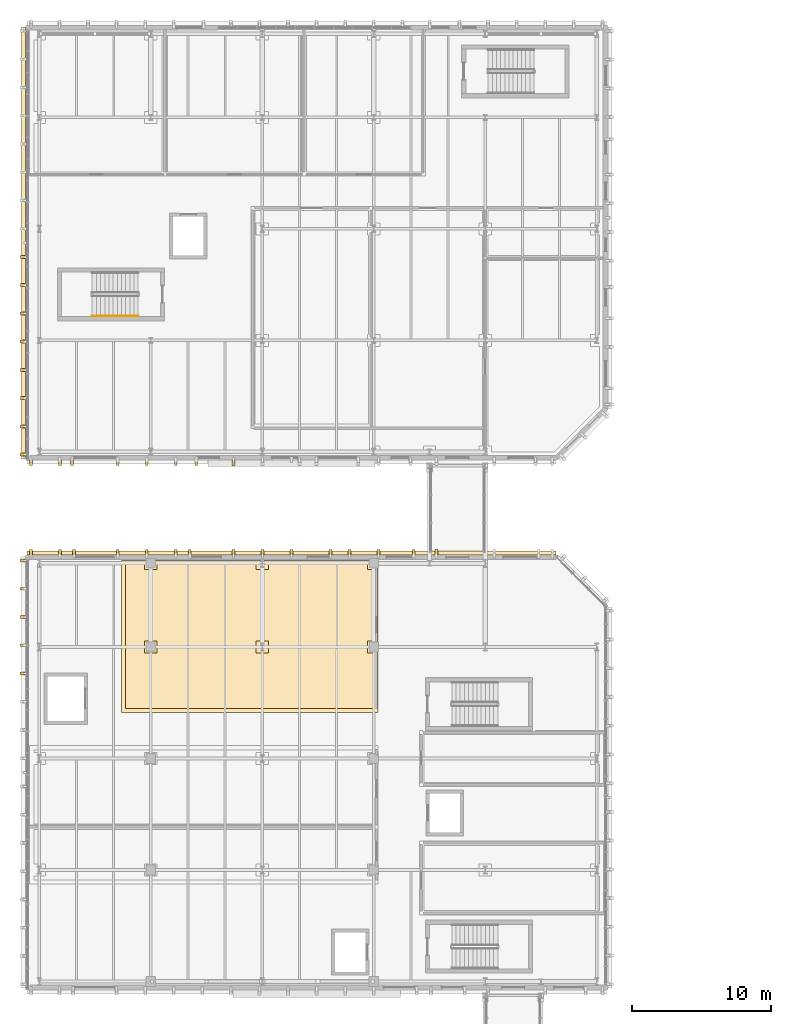
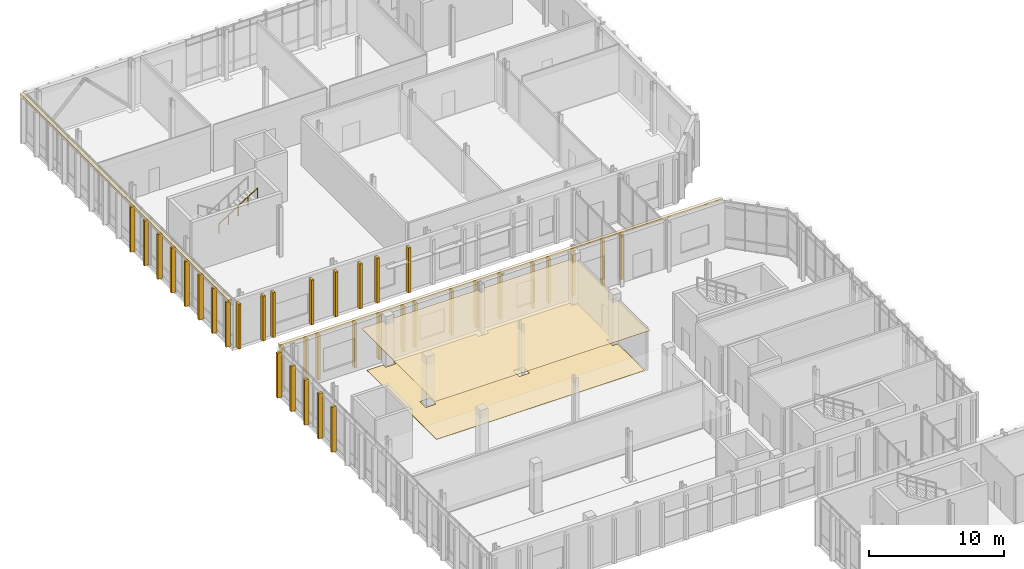
# One storey, part 93 of 100: 40 coverings, 1 railing.
"""IFC4 building model written with IfcOpenShell, lengths in metres."""

from ifc_helpers import new_model, si_unit, direction, frame, origin, origin_2d, place, context, subcontext, project, spatial, polyline, rectangle, circle, outline, extrude, material, layer, layer_set, type_object, element, save


model = new_model("IFC4")

# Units and contexts
model_context = context("Model", 3, precision=1e-05, world=origin(), true_north=direction((0.0, 1.0)))
body_context = subcontext(model_context, "Body", "Model", "MODEL_VIEW")
ifc_project = project(units=[si_unit("LENGTHUNIT", "METRE"), si_unit("AREAUNIT", "SQUARE_METRE"), si_unit("VOLUMEUNIT", "CUBIC_METRE"), si_unit("PLANEANGLEUNIT", "RADIAN"), si_unit("MASSUNIT", "GRAM", prefix="KILO")], contexts=[model_context])

# Site, building, storey
site_placement = place(None, origin())
site = spatial("IfcSite", under=ifc_project, at=site_placement, CompositionType="ELEMENT")
building_placement = place(site_placement, origin())
building = spatial("IfcBuilding", under=site, at=building_placement, Name="Cymarion Research Institute", CompositionType="ELEMENT")
storey_placement = place(building_placement, frame((0.0, 0.0, 4.800048828125)))
storey = spatial("IfcBuildingStorey", under=building, at=storey_placement, Name="L01", CompositionType="ELEMENT", Elevation=4.800048828125)

# Coverings
ifc_material_1 = material(Name="Micro-perforated mineral acoustic ceiling tile", Category="gypsum")
ifc_layer_1 = layer(ifc_material_1, 0.030029296875)
ifc_layer_set_1 = layer_set([ifc_layer_1], Name="Micro-perforated mineral acoustic ceiling tile")
covering_type_1 = type_object("IfcCoveringType", Name="ACOUSTIC MICRO-PERFORATED SUSPENDED CEILING CLG-01", PredefinedType="CEILING", material=ifc_layer_set_1)
covering_1_placement = place(storey_placement, frame((0.0, 0.0, 3.699951171875)))
element("IfcCovering", 1, at=covering_1_placement, inside=storey, type_object=covering_type_1, Name="L01 L01 Electron-Beam & Surface Metrology Laboratory acoustic ceiling", PredefinedType="CEILING", context=body_context, shape_type="SweptSolid", body=[
    extrude(outline(polyline([(14.465087890625, 77.715087890625), (14.465087890625, 77.364990234375), (14.735107421875, 77.364990234375), (14.735107421875, 77.715087890625), (22.465087890625, 77.715087890625), (22.465087890625, 77.364990234375), (22.735107421875, 77.364990234375), (22.735107421875, 77.715087890625), (30.465087890625, 77.715087890625), (30.465087890625, 77.364990234375), (30.9150390625, 77.364990234375), (30.9150390625, 71.635009765625), (30.465087890625, 71.635009765625), (30.465087890625, 71.364990234375), (30.9150390625, 71.364990234375), (30.9150390625, 66.784912109375), (12.485107421875, 66.784912109375), (12.485107421875, 77.715087890625), (14.465087890625, 77.715087890625)])), origin(), (0.0, 0.0, 1.0), 0.030029296875),
])
ifc_material_2 = material(Name="Precast concrete C45/55 architectural white", Category="concrete")
ifc_layer_2 = layer(ifc_material_2, 0.260009765625)
ifc_layer_set_2 = layer_set([ifc_layer_2], Name="Precast concrete C45/55 architectural white")
covering_type_2 = type_object("IfcCoveringType", Name="SCULPTURAL WHITE PRECAST CONCRETE SPANDREL BROW BAND RIB2 280MM", PredefinedType="CLADDING", material=ifc_layer_set_2)
covering_2_placement = place(storey_placement, frame((24.699951171875, 78.241943359375, 4.08984375), z_axis=(0.0, 0.0, 1.0), x_axis=(0.0, 1.0, 0.0)))
element("IfcCovering", 2, at=covering_2_placement, inside=storey, type_object=covering_type_2, Name="L01 V4 precast spandrel brow band RIB2 #329", PredefinedType="CLADDING", context=body_context, shape_type="SweptSolid", body=[
    extrude(rectangle(XDim=0.280029296875, YDim=37.9599609375, at=origin_2d()), origin(), (0.0, 0.0, 1.0), 0.260009765625),
])
covering_3_placement = place(storey_placement, frame((5.4580078125, 100.5, 4.08984375), z_axis=(0.0, 0.0, 1.0), x_axis=(-1.0, 0.0, 0.0)))
element("IfcCovering", 3, at=covering_3_placement, inside=storey, type_object=covering_type_2, Name="L01 V5 precast spandrel brow band RIB2 #425", PredefinedType="CLADDING", context=body_context, shape_type="SweptSolid", body=[
    extrude(rectangle(XDim=0.280029296875, YDim=30.9599609375, at=origin_2d()), origin(), (0.0, 0.0, 1.0), 0.260009765625),
])
ifc_layer_3 = layer(ifc_material_2, 0.199951171875)
ifc_layer_set_3 = layer_set([ifc_layer_3], Name="Precast concrete C45/55 architectural white")
covering_type_3 = type_object("IfcCoveringType", Name="SCULPTURAL WHITE PRECAST CONCRETE VERTICAL RIB RIB1 380X200", PredefinedType="CLADDING", material=ifc_layer_set_3)
for number, where, z_axis, x_axis, name in (
    (4, (35.0888671875, 78.2919921875, 0.009765625), (0.0, 0.0, 1.0), (0.0, 1.0, 0.0), "L01 V4 sculptural precast vertical rib RIB1 #333"),
    (5, (33.47021484375, 78.2919921875, 0.009765625), (0.0, 0.0, 1.0), (0.0, 1.0, 0.0), "L01 V4 sculptural precast vertical rib RIB1 #334"),
    (6, (30.933349609375, 78.2919921875, 0.009765625), (0.0, 0.0, 1.0), (0.0, 1.0, 0.0), "L01 V4 sculptural precast vertical rib RIB1 #335"),
    (7, (28.855712890625, 78.2919921875, 0.009765625), (0.0, 0.0, 1.0), (0.0, 1.0, 0.0), "L01 V4 sculptural precast vertical rib RIB1 #336"),
    (8, (27.500244140625, 78.2919921875, 0.009765625), (0.0, 0.0, 1.0), (0.0, 1.0, 0.0), "L01 V4 sculptural precast vertical rib RIB1 #337"),
    (9, (24.699951171875, 78.2919921875, 0.009765625), (0.0, 0.0, 1.0), (0.0, 1.0, 0.0), "L01 V4 sculptural precast vertical rib RIB1 #338"),
    (10, (22.622314453125, 78.2919921875, 0.009765625), (0.0, 0.0, 1.0), (0.0, 1.0, 0.0), "L01 V4 sculptural precast vertical rib RIB1 #339"),
    (11, (20.54443359375, 78.2919921875, 0.009765625), (0.0, 0.0, 1.0), (0.0, 1.0, 0.0), "L01 V4 sculptural precast vertical rib RIB1 #340"),
    (12, (17.400146484375, 78.2919921875, 0.009765625), (0.0, 0.0, 1.0), (0.0, 1.0, 0.0), "L01 V4 sculptural precast vertical rib RIB1 #341"),
    (13, (16.388916015625, 78.2919921875, 0.009765625), (0.0, 0.0, 1.0), (0.0, 1.0, 0.0), "L01 V4 sculptural precast vertical rib RIB1 #342"),
    (14, (14.31103515625, 78.2919921875, 0.009765625), (0.0, 0.0, 1.0), (0.0, 1.0, 0.0), "L01 V4 sculptural precast vertical rib RIB1 #343"),
    (15, (12.2333984375, 78.2919921875, 0.009765625), (0.0, 0.0, 1.0), (0.0, 1.0, 0.0), "L01 V4 sculptural precast vertical rib RIB1 #344"),
    (16, (9.10009765625, 78.2919921875, 0.009765625), (0.0, 0.0, 1.0), (0.0, 1.0, 0.0), "L01 V4 sculptural precast vertical rib RIB1 #345"),
    (17, (8.077880859375, 78.2919921875, 0.009765625), (0.0, 0.0, 1.0), (0.0, 1.0, 0.0), "L01 V4 sculptural precast vertical rib RIB1 #346"),
    (18, (6.0, 78.2919921875, 0.009765625), (0.0, 0.0, 1.0), (0.0, 1.0, 0.0), "L01 V4 sculptural precast vertical rib RIB1 #347"),
    (19, (5.407958984375, 77.699951171875, 0.009765625), (0.0, 0.0, 1.0), (-1.0, 0.0, 0.0), "L01 V4 sculptural precast vertical rib RIB1 #349"),
    (20, (5.407958984375, 75.67333984375, 0.009765625), (0.0, 0.0, 1.0), (-1.0, 0.0, 0.0), "L01 V4 sculptural precast vertical rib RIB1 #350"),
    (21, (5.407958984375, 73.646728515625, 0.009765625), (0.0, 0.0, 1.0), (-1.0, 0.0, 0.0), "L01 V4 sculptural precast vertical rib RIB1 #351"),
    (22, (5.407958984375, 71.6201171875, 0.009765625), (0.0, 0.0, 1.0), (-1.0, 0.0, 0.0), "L01 V4 sculptural precast vertical rib RIB1 #352"),
    (23, (5.407958984375, 69.59326171875, 0.009765625), (0.0, 0.0, 1.0), (-1.0, 0.0, 0.0), "L01 V4 sculptural precast vertical rib RIB1 #353"),
    (24, (6.0, 84.7080078125, 0.009765625), (0.0, 0.0, 1.0), (0.0, -1.0, 0.0), "L01 V5 sculptural precast vertical rib RIB1 #366"),
    (25, (8.077880859375, 84.7080078125, 0.009765625), (0.0, 0.0, 1.0), (0.0, -1.0, 0.0), "L01 V5 sculptural precast vertical rib RIB1 #367"),
    (26, (8.949951171875, 84.7080078125, 0.009765625), (0.0, 0.0, 1.0), (0.0, -1.0, 0.0), "L01 V5 sculptural precast vertical rib RIB1 #368"),
    (27, (12.2333984375, 84.7080078125, 0.009765625), (0.0, 0.0, 1.0), (0.0, -1.0, 0.0), "L01 V5 sculptural precast vertical rib RIB1 #369"),
    (28, (14.31103515625, 84.7080078125, 0.009765625), (0.0, 0.0, 1.0), (0.0, -1.0, 0.0), "L01 V5 sculptural precast vertical rib RIB1 #370"),
    (29, (16.388916015625, 84.7080078125, 0.009765625), (0.0, 0.0, 1.0), (0.0, -1.0, 0.0), "L01 V5 sculptural precast vertical rib RIB1 #371"),
    (30, (17.860107421875, 84.7080078125, 0.009765625), (0.0, 0.0, 1.0), (0.0, -1.0, 0.0), "L01 V5 sculptural precast vertical rib RIB1 #372"),
    (31, (20.54443359375, 84.7080078125, 0.009765625), (0.0, 0.0, 1.0), (0.0, -1.0, 0.0), "L01 V5 sculptural precast vertical rib RIB1 #373"),
    (32, (5.407958984375, 99.48681640625, 0.009765625), (0.0, 0.0, 1.0), (-1.0, 0.0, 0.0), "L01 V5 sculptural precast vertical rib RIB1 #434"),
    (33, (5.407958984375, 97.4599609375, 0.009765625), (0.0, 0.0, 1.0), (-1.0, 0.0, 0.0), "L01 V5 sculptural precast vertical rib RIB1 #435"),
    (34, (5.407958984375, 95.433349609375, 0.009765625), (0.0, 0.0, 1.0), (-1.0, 0.0, 0.0), "L01 V5 sculptural precast vertical rib RIB1 #436"),
    (35, (5.407958984375, 93.40673828125, 0.009765625), (0.0, 0.0, 1.0), (-1.0, 0.0, 0.0), "L01 V5 sculptural precast vertical rib RIB1 #437"),
    (36, (5.407958984375, 91.3798828125, 0.009765625), (0.0, 0.0, 1.0), (-1.0, 0.0, 0.0), "L01 V5 sculptural precast vertical rib RIB1 #438"),
    (37, (5.407958984375, 89.353271484375, 0.009765625), (0.0, 0.0, 1.0), (-1.0, 0.0, 0.0), "L01 V5 sculptural precast vertical rib RIB1 #439"),
    (38, (5.407958984375, 87.32666015625, 0.009765625), (0.0, 0.0, 1.0), (-1.0, 0.0, 0.0), "L01 V5 sculptural precast vertical rib RIB1 #440"),
    (39, (5.407958984375, 85.300048828125, 0.009765625), (0.0, 0.0, 1.0), (-1.0, 0.0, 0.0), "L01 V5 sculptural precast vertical rib RIB1 #441"),
):
    element("IfcCovering", number, at=place(storey_placement, frame(where, z_axis=z_axis, x_axis=x_axis)), inside=storey, type_object=covering_type_3, Name=name, PredefinedType="CLADDING", context=body_context, shape_type="SweptSolid", body=[
        extrude(rectangle(XDim=0.3798828125, YDim=0.199951171875, at=origin_2d()), origin(), (0.0, 0.0, 1.0), 4.074951171875),
    ])
ifc_material_3 = material(Name="Seamless dissipative epoxy resin flooring", Category="resin")
ifc_layer_4 = layer(ifc_material_3, 0.02001953125)
ifc_layer_set_4 = layer_set([ifc_layer_4], Name="Seamless dissipative epoxy resin flooring")
covering_type_4 = type_object("IfcCoveringType", Name="SEAMLESS ESD EPOXY LABORATORY FLOORING FLR-01", PredefinedType="FLOORING", material=ifc_layer_set_4)
covering_4_placement = place(storey_placement, origin())
element("IfcCovering", 40, at=covering_4_placement, inside=storey, type_object=covering_type_4, Name="L01 L01 Electron-Beam & Surface Metrology Laboratory ESD epoxy flooring", PredefinedType="FLOORING", context=body_context, shape_type="SweptSolid", body=[
    extrude(outline(polyline([(12.784912109375, 77.4150390625), (14.1650390625, 77.4150390625), (14.1650390625, 77.06494140625), (15.034912109375, 77.06494140625), (15.034912109375, 77.4150390625), (22.1650390625, 77.4150390625), (22.1650390625, 77.06494140625), (23.034912109375, 77.06494140625), (23.034912109375, 77.4150390625), (30.1650390625, 77.4150390625), (30.1650390625, 77.06494140625), (30.614990234375, 77.06494140625), (30.614990234375, 71.93505859375), (30.1650390625, 71.93505859375), (30.1650390625, 71.06494140625), (30.614990234375, 71.06494140625), (30.614990234375, 67.0849609375), (12.784912109375, 67.0849609375), (12.784912109375, 77.4150390625)]), holes=[polyline([(23.034912109375, 71.93505859375), (22.1650390625, 71.93505859375), (22.1650390625, 71.06494140625), (23.034912109375, 71.06494140625), (23.034912109375, 71.93505859375)]), polyline([(15.034912109375, 71.93505859375), (14.1650390625, 71.93505859375), (14.1650390625, 71.06494140625), (15.034912109375, 71.06494140625), (15.034912109375, 71.93505859375)])]), origin(), (0.0, 0.0, 1.0), 0.02001953125),
])

# Railing
ifc_material_4 = material(Name="Steel S355", Category="steel")
railing_type = type_object("IfcRailingType", Name="STAINLESS STEEL STAIR HANDRAIL HR1 900MM", PredefinedType="HANDRAIL", material=ifc_material_4)
railing_placement = place(storey_placement, frame((10.39990234375, 95.25, 2.4375)))
element("IfcRailing", 41, at=railing_placement, inside=storey, type_object=railing_type, Name="L01 ST9 stair handrail 2", PredefinedType="HANDRAIL", context=body_context, shape_type="SweptSolid", body=[
    extrude(circle(Radius=0.02392578125, at=origin_2d()), frame((0.0, 0.0, 0.8759765625), z_axis=(0.848001828478, 0.0, 0.529993300805), x_axis=(0.0, 1.0, 0.0)), (0.0, 0.0, 1.0), 3.8916015625),
    extrude(circle(Radius=0.02099609375, at=origin_2d()), origin(), (0.0, 0.0, 1.0), 0.851806640625),
    extrude(circle(Radius=0.02099609375, at=origin_2d()), frame((0.824951171875, 0.0, 0.515625)), (0.0, 0.0, 1.0), 0.851806640625),
    extrude(circle(Radius=0.02099609375, at=origin_2d()), frame((1.64990234375, 0.0, 1.03125)), (0.0, 0.0, 1.0), 0.851806640625),
    extrude(circle(Radius=0.02099609375, at=origin_2d()), frame((2.47509765625, 0.0, 1.546875)), (0.0, 0.0, 1.0), 0.851806640625),
    extrude(circle(Radius=0.02099609375, at=origin_2d()), frame((3.300048828125, 0.0, 2.0625)), (0.0, 0.0, 1.0), 0.851806640625),
])

save(model, "model.ifc")
